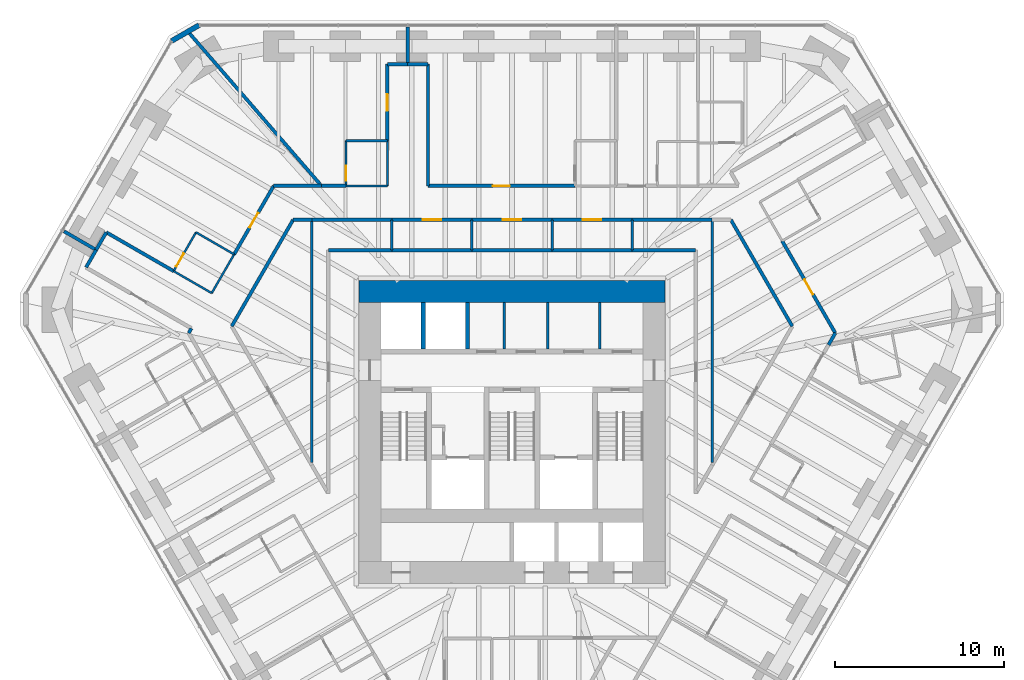
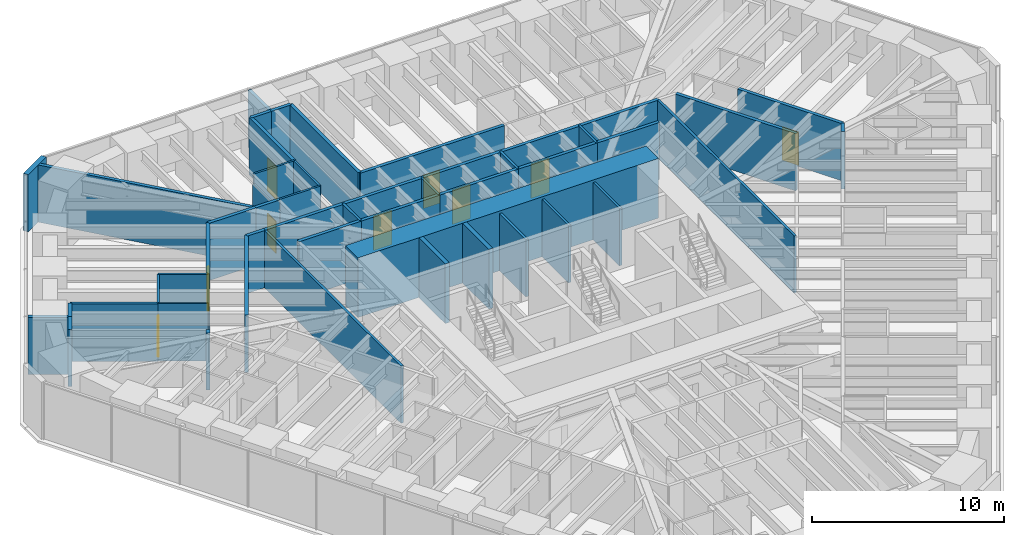
# One storey, part 14 of 16: 51 walls, 9 doors, 9 openings.
"""IFC4 building model written with IfcOpenShell, lengths in metres."""

from ifc_helpers import new_model, si_unit, direction, frame, frame_2d, origin, place, context, subcontext, project, spatial, rectangle, extrude, material, layer, layer_set, type_object, element, fill, save


model = new_model("IFC4")

# Units and contexts
model_context = context("Model", 3, precision=1e-05, world=origin(), true_north=direction((0.0, 1.0)))
body_context = subcontext(model_context, "Body", "Model", "MODEL_VIEW")
ifc_project = project(units=[si_unit("LENGTHUNIT", "METRE"), si_unit("AREAUNIT", "SQUARE_METRE"), si_unit("VOLUMEUNIT", "CUBIC_METRE"), si_unit("PLANEANGLEUNIT", "RADIAN"), si_unit("MASSUNIT", "GRAM", prefix="KILO")], contexts=[model_context])

# Site, building, storey
site_placement = place(None, origin())
site = spatial("IfcSite", under=ifc_project, at=site_placement, CompositionType="ELEMENT")
building_placement = place(site_placement, origin())
building = spatial("IfcBuilding", under=site, at=building_placement, Name="Sandreach Pilgrim Tower", CompositionType="ELEMENT")
storey_placement = place(building_placement, frame((0.0, 0.0, 115.800048828125)))
storey = spatial("IfcBuildingStorey", under=building, at=storey_placement, Name="L28", CompositionType="ELEMENT", Elevation=115.800048828125)

# Walls
ifc_material_1 = material(Name="Gypsum board on steel studs", Category="steel")
ifc_layer_1 = layer(ifc_material_1, 0.14990234375)
ifc_layer_set_1 = layer_set([ifc_layer_1], Name="Back of house wall 150")
wall_type_1 = type_object("IfcWallType", Name="Back of house wall 150", PredefinedType="PARTITIONING", material=ifc_layer_set_1)
wall_1_placement = place(storey_placement, frame((-11.830078125, 10.989990234375, 0.0), z_axis=(0.0, 0.0, 1.0), x_axis=(0.0, -1.0, 0.0)))
element("IfcWall", 1, at=wall_1_placement, inside=storey, type_object=wall_type_1, Name="Back of house wall L28-034", PredefinedType="PARTITIONING", context=body_context, shape_type="SweptSolid", body=[
    extrude(rectangle(XDim=14.3349609375, YDim=0.14990234375, at=frame_2d((7.16748046875, 0.0))), origin(), (0.0, 0.0, 1.0), 3.639892578125),
])
for number, where, z_axis, x_axis, name in (
    (2, (-7.10009765625, 10.989990234375, 0.0), (0.0, 0.0, 1.0), (0.0, -1.0, 0.0), "Back of house wall L28-054"),
    (3, (-2.3701171875, 10.989990234375, 0.0), (0.0, 0.0, 1.0), (0.0, -1.0, 0.0), "Back of house wall L28-075"),
    (4, (2.3701171875, 10.989990234375, 0.0), (0.0, 0.0, 1.0), (0.0, -1.0, 0.0), "Back of house wall L28-085"),
    (5, (7.10009765625, 10.989990234375, 0.0), (0.0, 0.0, 1.0), (0.0, -1.0, 0.0), "Back of house wall L28-104"),
):
    element("IfcWall", number, at=place(storey_placement, frame(where, z_axis=z_axis, x_axis=x_axis)), inside=storey, type_object=wall_type_1, Name=name, PredefinedType="PARTITIONING", context=body_context, shape_type="SweptSolid", body=[
        extrude(rectangle(XDim=1.7900390625, YDim=0.14990234375, at=frame_2d((0.89501953125, 0.0))), origin(), (0.0, 0.0, 1.0), 3.639892578125),
    ])
wall_2_placement = place(storey_placement, frame((11.830078125, 10.989990234375, 0.0), z_axis=(0.0, 0.0, 1.0), x_axis=(0.0, -1.0, 0.0)))
element("IfcWall", 6, at=wall_2_placement, inside=storey, type_object=wall_type_1, Name="Back of house wall L28-125", PredefinedType="PARTITIONING", context=body_context, shape_type="SweptSolid", body=[
    extrude(rectangle(XDim=14.3349609375, YDim=0.14990234375, at=frame_2d((7.16748046875, 0.0))), origin(), (0.0, 0.0, 1.0), 3.639892578125),
])
for number, where, z_axis, x_axis, name in (
    (7, (-0.449951171875, 3.35009765625, 0.0), (0.0, 0.0, 1.0), (0.0, 1.0, 0.0), "Core room partition L28 1"),
    (8, (2.112548828125, 3.35009765625, 0.0), (0.0, 0.0, 1.0), (0.0, 1.0, 0.0), "Core room partition L28 2"),
    (9, (5.1875, 3.35009765625, 0.0), (0.0, 0.0, 1.0), (0.0, 1.0, 0.0), "Core room partition L28 3"),
):
    element("IfcWall", number, at=place(storey_placement, frame(where, z_axis=z_axis, x_axis=x_axis)), inside=storey, type_object=wall_type_1, Name=name, PredefinedType="PARTITIONING", context=body_context, shape_type="SweptSolid", body=[
        extrude(rectangle(XDim=2.75, YDim=0.14990234375, at=frame_2d((1.375, 0.0))), origin(), (0.0, 0.0, 1.0), 3.639892578125),
    ])
ifc_material_2 = material(Name="Moisture-resistant gypsum board on steel studs", Category="steel")
ifc_layer_2 = layer(ifc_material_2, 0.1201171875)
ifc_layer_set_2 = layer_set([ifc_layer_2], Name="Bathroom partition 120")
wall_type_2 = type_object("IfcWallType", Name="Bathroom partition 120", PredefinedType="PARTITIONING", material=ifc_layer_set_2)
wall_3_placement = place(storey_placement, frame((-19.991455078125, 7.95751953125, 0.0), z_axis=(0.0, 0.0, 1.0), x_axis=(0.866404475641, -0.499342852747, 0.0)))
element("IfcWall", 10, at=wall_3_placement, inside=storey, type_object=wall_type_2, Name="Bathroom partition L28-009", PredefinedType="PARTITIONING", context=body_context, shape_type="SweptSolid", body=[
    extrude(rectangle(XDim=2.5986328125, YDim=0.1201171875, at=frame_2d((1.29931640625, 0.0))), origin(), (0.0, 0.0, 1.0), 3.639892578125),
])

# Wall, opening, door
wall_4_placement = place(storey_placement, frame((-18.669921875, 10.25, 0.0), z_axis=(0.0, 0.0, 1.0), x_axis=(-0.499407914056, -0.866366975004, 0.0)))
wall_4 = element("IfcWall", 11, at=wall_4_placement, inside=storey, type_object=wall_type_2, Name="Bathroom partition L28-016", PredefinedType="PARTITIONING", context=body_context, shape_type="SweptSolid", body=[
    extrude(rectangle(XDim=2.643310546875, YDim=0.1201171875, at=frame_2d((1.32177734375, 0.0))), origin(), (0.0, 0.0, 1.0), 3.639892578125),
])
opening_1_placement = place(wall_4_placement, frame((1.443115234375, 0.0, 0.0)))
opening_1 = element("IfcOpeningElement", 12, at=opening_1_placement, cuts=wall_4, Name="Opening D09-16B", PredefinedType="OPENING", context=body_context, shape_type="SweptSolid", body=[
    extrude(rectangle(XDim=0.89990234375, YDim=2.030029296875, at=frame_2d((0.449951171875, 1.01513671875))), frame((0.0, 0.06005859375, 0.0), z_axis=(0.0, -1.0, 0.0), x_axis=(1.0, 0.0, 0.0)), (0.0, 0.0, 1.0), 0.1201171875),
])
ifc_material_3 = material(Name="Timber door, steel frame", Category="steel")
door_type_1 = type_object("IfcDoorType", Name="Bathroom door", OperationType="SINGLE_SWING_LEFT", PredefinedType="DOOR", material=ifc_material_3)
door_1_placement = place(opening_1_placement, origin())
door_1 = element("IfcDoor", 13, at=door_1_placement, inside=storey, type_object=door_type_1, Name="Door 2816B", OperationType="SINGLE_SWING_RIGHT", OverallHeight=2.030029296875, OverallWidth=0.89990234375, PredefinedType="DOOR", context=body_context, shape_type="SweptSolid", body=[
    extrude(rectangle(XDim=0.89990234375, YDim=2.030029296875, at=frame_2d((0.449951171875, 1.01513671875))), frame((0.0, 0.02490234375, 0.0), z_axis=(0.0, -1.0, 0.0), x_axis=(1.0, 0.0, 0.0)), (0.0, 0.0, 1.0), 0.050048828125),
])
fill(opening_1, door_1)

# Walls
wall_5_placement = place(storey_placement, frame((-17.739990234375, 6.659912109375, 0.0), z_axis=(0.0, 0.0, 1.0), x_axis=(0.500519174073, 0.865725450929, 0.0)))
element("IfcWall", 14, at=wall_5_placement, inside=storey, type_object=wall_type_2, Name="Bathroom partition L28-020", PredefinedType="PARTITIONING", context=body_context, shape_type="SweptSolid", body=[
    extrude(rectangle(XDim=2.643310546875, YDim=0.1201171875, at=frame_2d((1.32177734375, 0.0))), origin(), (0.0, 0.0, 1.0), 3.639892578125),
])
wall_6_placement = place(storey_placement, frame((-16.419921875, 8.949951171875, 0.0), z_axis=(0.0, 0.0, 1.0), x_axis=(-0.865856933682, 0.500291685314, 0.0)))
element("IfcWall", 15, at=wall_6_placement, inside=storey, type_object=wall_type_2, Name="Bathroom partition L28-023", PredefinedType="PARTITIONING", context=body_context, shape_type="SweptSolid", body=[
    extrude(rectangle(XDim=2.5986328125, YDim=0.1201171875, at=frame_2d((1.29931640625, 0.0))), origin(), (0.0, 0.0, 1.0), 3.639892578125),
])

# Wall, opening, door
wall_7_placement = place(storey_placement, frame((-9.81005859375, 15.659912109375, 0.0), z_axis=(0.0, 0.0, 1.0), x_axis=(0.0, -1.0, 0.0)))
wall_7 = element("IfcWall", 16, at=wall_7_placement, inside=storey, type_object=wall_type_2, Name="Bathroom partition L28-045", PredefinedType="PARTITIONING", context=body_context, shape_type="SweptSolid", body=[
    extrude(rectangle(XDim=2.669921875, YDim=0.1201171875, at=frame_2d((1.3349609375, 0.0))), origin(), (0.0, 0.0, 1.0), 3.0380859375),
])
opening_2_placement = place(wall_7_placement, frame((1.469970703125, 0.0, 0.0)))
opening_2 = element("IfcOpeningElement", 17, at=opening_2_placement, cuts=wall_7, Name="Opening D09-01B", PredefinedType="OPENING", context=body_context, shape_type="SweptSolid", body=[
    extrude(rectangle(XDim=0.89990234375, YDim=2.030029296875, at=frame_2d((0.449951171875, 1.01513671875))), frame((0.0, 0.06005859375, 0.0), z_axis=(0.0, -1.0, 0.0), x_axis=(1.0, 0.0, 0.0)), (0.0, 0.0, 1.0), 0.1201171875),
])
door_2_placement = place(opening_2_placement, origin())
door_2 = element("IfcDoor", 18, at=door_2_placement, inside=storey, type_object=door_type_1, Name="Door 2801B", OperationType="SINGLE_SWING_RIGHT", OverallHeight=2.030029296875, OverallWidth=0.89990234375, PredefinedType="DOOR", context=body_context, shape_type="SweptSolid", body=[
    extrude(rectangle(XDim=0.89990234375, YDim=2.030029296875, at=frame_2d((0.449951171875, 1.01513671875))), frame((0.0, 0.02490234375, 0.0), z_axis=(0.0, -1.0, 0.0), x_axis=(1.0, 0.0, 0.0)), (0.0, 0.0, 1.0), 0.050048828125),
])
fill(opening_2, door_2)

# Walls
for number, where, z_axis, x_axis, name in (
    (19, (-7.360107421875, 12.989990234375, 0.0), (0.0, 0.0, 1.0), (-1.0, 0.0, 0.0), "Bathroom partition L28-049"),
    (20, (-7.360107421875, 15.659912109375, 0.0), (0.0, 0.0, 1.0), (-1.0, 0.0, 0.0), "Bathroom partition L28-050"),
):
    element("IfcWall", number, at=place(storey_placement, frame(where, z_axis=z_axis, x_axis=x_axis)), inside=storey, type_object=wall_type_2, Name=name, PredefinedType="PARTITIONING", context=body_context, shape_type="SweptSolid", body=[
        extrude(rectangle(XDim=2.449951171875, YDim=0.1201171875, at=frame_2d((1.22509765625, 0.0))), origin(), (0.0, 0.0, 1.0), 3.639892578125),
    ])
wall_8_placement = place(storey_placement, frame((-7.360107421875, 15.659912109375, 0.0), z_axis=(0.0, 0.0, 1.0), x_axis=(0.0, -1.0, 0.0)))
element("IfcWall", 21, at=wall_8_placement, inside=storey, type_object=wall_type_2, Name="Bathroom partition L28-051", PredefinedType="PARTITIONING", context=body_context, shape_type="SweptSolid", body=[
    extrude(rectangle(XDim=2.669921875, YDim=0.1201171875, at=frame_2d((1.3349609375, 0.0))), origin(), (0.0, 0.0, 1.0), 3.639892578125),
])
ifc_material_4 = material(Name="Concrete 10000 psi", Category="concrete")
ifc_layer_3 = layer(ifc_material_4, 1.300048828125)
ifc_layer_set_3 = layer_set([ifc_layer_3], Name="Core wall 1300")
wall_type_3 = type_object("IfcWallType", Name="Core wall 1300", PredefinedType="SHEAR", material=ifc_layer_set_3)
wall_9_placement = place(storey_placement, frame((-9.050048828125, 6.75, 0.0), z_axis=(0.0, 0.0, 1.0), x_axis=(1.0, 0.0, 0.0)))
element("IfcWall", 22, at=wall_9_placement, inside=storey, type_object=wall_type_3, Name="Core wall N L28", PredefinedType="SHEAR", context=body_context, shape_type="SweptSolid", body=[
    extrude(rectangle(XDim=18.10009765625, YDim=1.300048828125, at=frame_2d((9.050048828125, 0.0))), origin(), (0.0, 0.0, 1.0), 3.800048828125),
])
ifc_material_5 = material(Name="Gypsum board on steel studs, two layers each side", Category="steel")
ifc_layer_4 = layer(ifc_material_5, 0.199951171875)
ifc_layer_set_4 = layer_set([ifc_layer_4], Name="Corridor wall 200")
wall_type_4 = type_object("IfcWallType", Name="Corridor wall 200", PredefinedType="PARTITIONING", material=ifc_layer_set_4)
wall_10_placement = place(storey_placement, frame((-25.16259765625, 8.18310546875, 0.0), z_axis=(0.0, 0.0, 1.0), x_axis=(0.499793761865, 0.866144442689, 0.0)))
element("IfcWall", 23, at=wall_10_placement, inside=storey, type_object=wall_type_4, Name="Corridor wall L28-003", PredefinedType="PARTITIONING", context=body_context, shape_type="SweptSolid", body=[
    extrude(rectangle(XDim=1.185546875, YDim=0.199951171875, at=frame_2d((0.5927734375, 0.0))), origin(), (0.0, 0.0, 1.0), 3.639892578125),
])
wall_11_placement = place(storey_placement, frame((-24.570068359375, 9.2099609375, 0.0), z_axis=(0.0, 0.0, 1.0), x_axis=(0.499734288277, 0.866178758179, 0.0)))
element("IfcWall", 24, at=wall_11_placement, inside=storey, type_object=wall_type_4, Name="Corridor wall L28-004", PredefinedType="PARTITIONING", context=body_context, shape_type="SweptSolid", body=[
    extrude(rectangle(XDim=1.190673828125, YDim=0.199951171875, at=frame_2d((0.59521484375, 0.0))), origin(), (0.0, 0.0, 1.0), 3.639892578125),
])
wall_12_placement = place(storey_placement, frame((-23.969970703125, 10.25, 0.0), z_axis=(0.0, 0.0, 1.0), x_axis=(0.86645101645, -0.499262091585, 0.0)))
element("IfcWall", 25, at=wall_12_placement, inside=storey, type_object=wall_type_4, Name="Corridor wall L28-006", PredefinedType="PARTITIONING", context=body_context, shape_type="SweptSolid", body=[
    extrude(rectangle(XDim=4.591796875, YDim=0.199951171875, at=frame_2d((2.2958984375, 0.0))), origin(), (0.0, 0.0, 1.0), 3.639892578125),
])
wall_13_placement = place(storey_placement, frame((-18.945068359375, 4.5712890625, 0.0), z_axis=(0.0, 0.0, 1.0), x_axis=(-0.496223092577, -0.868195048588, 0.0)))
element("IfcWall", 26, at=wall_13_placement, inside=storey, type_object=wall_type_4, Name="Corridor wall L28-015", PredefinedType="PARTITIONING", context=body_context, shape_type="SweptSolid", body=[
    extrude(rectangle(XDim=0.3125, YDim=0.199951171875, at=frame_2d((0.15625, 0.0))), origin(), (0.0, 0.0, 1.0), 3.639892578125),
])
wall_14_placement = place(storey_placement, frame((-16.56005859375, 4.699951171875, 0.0), z_axis=(0.0, 0.0, 1.0), x_axis=(0.4998524389, 0.866110581465, 0.0)))
element("IfcWall", 27, at=wall_14_placement, inside=storey, type_object=wall_type_4, Name="Corridor wall L28-022", PredefinedType="PARTITIONING", context=body_context, shape_type="SweptSolid", body=[
    extrude(rectangle(XDim=7.262451171875, YDim=0.199951171875, at=frame_2d((3.63134765625, 0.0))), origin(), (0.0, 0.0, 1.0), 3.639892578125),
])

# Wall, opening, door
wall_15_placement = place(storey_placement, frame((-16.4169921875, 8.9482421875, 0.0), z_axis=(0.0, 0.0, 1.0), x_axis=(0.500547653499, 0.865708984923, 0.0)))
wall_15 = element("IfcWall", 28, at=wall_15_placement, inside=storey, type_object=wall_type_4, Name="Corridor wall L28-024", PredefinedType="PARTITIONING", context=body_context, shape_type="SweptSolid", body=[
    extrude(rectangle(XDim=4.668701171875, YDim=0.199951171875, at=frame_2d((2.33447265625, 0.0))), origin(), (0.0, 0.0, 1.0), 3.639892578125),
])
opening_3_placement = place(wall_15_placement, frame((1.834228515625, 0.0, 0.0)))
opening_3 = element("IfcOpeningElement", 29, at=opening_3_placement, cuts=wall_15, Name="Opening D10-16", PredefinedType="OPENING", context=body_context, shape_type="SweptSolid", body=[
    extrude(rectangle(XDim=1.0, YDim=2.1298828125, at=frame_2d((0.5, 1.06494140625))), frame((0.0, 0.10009765625, 0.0), z_axis=(0.0, -1.0, 0.0), x_axis=(1.0, 0.0, 0.0)), (0.0, 0.0, 1.0), 0.199951171875),
])
ifc_material_6 = material(Name="Steel door and frame", Category="steel")
door_type_2 = type_object("IfcDoorType", Name="Guest room entry door", OperationType="SINGLE_SWING_LEFT", PredefinedType="DOOR", material=ifc_material_6)
door_3_placement = place(opening_3_placement, origin())
door_3 = element("IfcDoor", 30, at=door_3_placement, inside=storey, type_object=door_type_2, Name="Door 2816", OperationType="SINGLE_SWING_LEFT", OverallHeight=2.1298828125, OverallWidth=1.0, PredefinedType="DOOR", context=body_context, shape_type="SweptSolid", body=[
    extrude(rectangle(XDim=1.0, YDim=2.1298828125, at=frame_2d((0.5, 1.06494140625))), frame((0.0, 0.02490234375, 0.0), z_axis=(0.0, -1.0, 0.0), x_axis=(1.0, 0.0, 0.0)), (0.0, 0.0, 1.0), 0.050048828125),
])
fill(opening_3, door_3)

# Walls
wall_16_placement = place(storey_placement, frame((-12.929931640625, 10.989990234375, 0.0), z_axis=(0.0, 0.0, 1.0), x_axis=(1.0, 0.0, 0.0)))
element("IfcWall", 31, at=wall_16_placement, inside=storey, type_object=wall_type_4, Name="Corridor wall L28-031", PredefinedType="PARTITIONING", context=body_context, shape_type="SweptSolid", body=[
    extrude(rectangle(XDim=1.099853515625, YDim=0.199951171875, at=frame_2d((0.5498046875, 0.0))), origin(), (0.0, 0.0, 1.0), 3.639892578125),
])
wall_17_placement = place(storey_placement, frame((-11.830078125, 10.989990234375, 0.0), z_axis=(0.0, 0.0, 1.0), x_axis=(1.0, 0.0, 0.0)))
element("IfcWall", 32, at=wall_17_placement, inside=storey, type_object=wall_type_4, Name="Corridor wall L28-035", PredefinedType="PARTITIONING", context=body_context, shape_type="SweptSolid", body=[
    extrude(rectangle(XDim=4.72998046875, YDim=0.199951171875, at=frame_2d((2.364990234375, 0.0))), origin(), (0.0, 0.0, 1.0), 3.639892578125),
])
wall_18_placement = place(storey_placement, frame((-11.25, 12.989990234375, 0.0), z_axis=(0.0, 0.0, 1.0), x_axis=(-1.0, 0.0, 0.0)))
element("IfcWall", 33, at=wall_18_placement, inside=storey, type_object=wall_type_4, Name="Corridor wall L28-040", PredefinedType="PARTITIONING", context=body_context, shape_type="SweptSolid", body=[
    extrude(rectangle(XDim=2.830078125, YDim=0.199951171875, at=frame_2d((1.4150390625, 0.0))), origin(), (0.0, 0.0, 1.0), 3.639892578125),
])
wall_19_placement = place(storey_placement, frame((-9.81005859375, 12.989990234375, 0.0), z_axis=(0.0, 0.0, 1.0), x_axis=(-1.0, 0.0, 0.0)))
element("IfcWall", 34, at=wall_19_placement, inside=storey, type_object=wall_type_4, Name="Corridor wall L28-044", PredefinedType="PARTITIONING", context=body_context, shape_type="SweptSolid", body=[
    extrude(rectangle(XDim=1.43994140625, YDim=0.199951171875, at=frame_2d((0.719970703125, 0.0))), origin(), (0.0, 0.0, 1.0), 3.639892578125),
])

# Wall, opening, door
wall_20_placement = place(storey_placement, frame((-7.360107421875, 20.179931640625, 0.0), z_axis=(0.0, 0.0, 1.0), x_axis=(0.0, -1.0, 0.0)))
wall_20 = element("IfcWall", 35, at=wall_20_placement, inside=storey, type_object=wall_type_4, Name="Corridor wall L28-052", PredefinedType="PARTITIONING", context=body_context, shape_type="SweptSolid", body=[
    extrude(rectangle(XDim=4.52001953125, YDim=0.199951171875, at=frame_2d((2.260009765625, 0.0))), origin(), (0.0, 0.0, 1.0), 3.639892578125),
])
opening_4_placement = place(wall_20_placement, frame((1.760009765625, 0.0, 0.0)))
opening_4 = element("IfcOpeningElement", 36, at=opening_4_placement, cuts=wall_20, Name="Opening D10-01", PredefinedType="OPENING", context=body_context, shape_type="SweptSolid", body=[
    extrude(rectangle(XDim=1.0, YDim=2.1298828125, at=frame_2d((0.5, 1.06494140625))), frame((0.0, 0.10009765625, 0.0), z_axis=(0.0, -1.0, 0.0), x_axis=(1.0, 0.0, 0.0)), (0.0, 0.0, 1.0), 0.199951171875),
])
door_4_placement = place(opening_4_placement, origin())
door_4 = element("IfcDoor", 37, at=door_4_placement, inside=storey, type_object=door_type_2, Name="Door 2801", OperationType="SINGLE_SWING_LEFT", OverallHeight=2.1298828125, OverallWidth=1.0, PredefinedType="DOOR", context=body_context, shape_type="SweptSolid", body=[
    extrude(rectangle(XDim=1.0, YDim=2.1298828125, at=frame_2d((0.5, 1.06494140625))), frame((0.0, 0.02490234375, 0.0), z_axis=(0.0, -1.0, 0.0), x_axis=(1.0, 0.0, 0.0)), (0.0, 0.0, 1.0), 0.050048828125),
])
fill(opening_4, door_4)

# Wall
wall_21_placement = place(storey_placement, frame((-7.10009765625, 9.199951171875, 0.0), z_axis=(0.0, 0.0, 1.0), x_axis=(-1.0, 0.0, 0.0)))
element("IfcWall", 38, at=wall_21_placement, inside=storey, type_object=wall_type_4, Name="Corridor wall L28-053", PredefinedType="PARTITIONING", context=body_context, shape_type="SweptSolid", body=[
    extrude(rectangle(XDim=3.739990234375, YDim=0.199951171875, at=frame_2d((1.8701171875, 0.0))), origin(), (0.0, 0.0, 1.0), 3.639892578125),
])

# Wall, opening, door
wall_22_placement = place(storey_placement, frame((-7.10009765625, 10.989990234375, 0.0), z_axis=(0.0, 0.0, 1.0), x_axis=(1.0, 0.0, 0.0)))
wall_22 = element("IfcWall", 39, at=wall_22_placement, inside=storey, type_object=wall_type_4, Name="Corridor wall L28-055", PredefinedType="PARTITIONING", context=body_context, shape_type="SweptSolid", body=[
    extrude(rectangle(XDim=4.72998046875, YDim=0.199951171875, at=frame_2d((2.364990234375, 0.0))), origin(), (0.0, 0.0, 1.0), 3.639892578125),
])
opening_5_placement = place(wall_22_placement, frame((1.81494140625, 0.0, 0.0)))
opening_5 = element("IfcOpeningElement", 40, at=opening_5_placement, cuts=wall_22, Name="Opening D11H-M03", PredefinedType="OPENING", context=body_context, shape_type="SweptSolid", body=[
    extrude(rectangle(XDim=1.10009765625, YDim=2.199951171875, at=frame_2d((0.550048828125, 1.10009765625))), frame((0.0, 0.10009765625, 0.0), z_axis=(0.0, -1.0, 0.0), x_axis=(1.0, 0.0, 0.0)), (0.0, 0.0, 1.0), 0.199951171875),
])
ifc_material_7 = material(Name="Steel door and frame", Category="steel")
door_type_3 = type_object("IfcDoorType", Name="Back of house door", OperationType="SINGLE_SWING_LEFT", PredefinedType="DOOR", material=ifc_material_7)
door_5_placement = place(opening_5_placement, origin())
door_5 = element("IfcDoor", 41, at=door_5_placement, inside=storey, type_object=door_type_3, Name="Door 28M03", OperationType="SINGLE_SWING_LEFT", OverallHeight=2.199951171875, OverallWidth=1.10009765625, PredefinedType="DOOR", context=body_context, shape_type="SweptSolid", body=[
    extrude(rectangle(XDim=1.10009765625, YDim=2.199951171875, at=frame_2d((0.550048828125, 1.10009765625))), frame((0.0, 0.02490234375, 0.0), z_axis=(0.0, -1.0, 0.0), x_axis=(1.0, 0.0, 0.0)), (0.0, 0.0, 1.0), 0.050048828125),
])
fill(opening_5, door_5)

# Walls
wall_23_placement = place(storey_placement, frame((-6.159912109375, 20.179931640625, 0.0), z_axis=(0.0, 0.0, 1.0), x_axis=(-1.0, 0.0, 0.0)))
element("IfcWall", 42, at=wall_23_placement, inside=storey, type_object=wall_type_4, Name="Corridor wall L28-059", PredefinedType="PARTITIONING", context=body_context, shape_type="SweptSolid", body=[
    extrude(rectangle(XDim=1.190185546875, YDim=0.199951171875, at=frame_2d((0.59521484375, 0.0))), origin(), (0.0, 0.0, 1.0), 3.639892578125),
])
wall_24_placement = place(storey_placement, frame((-4.969970703125, 20.179931640625, 0.0), z_axis=(0.0, 0.0, 1.0), x_axis=(-1.0, 0.0, 0.0)))
element("IfcWall", 43, at=wall_24_placement, inside=storey, type_object=wall_type_4, Name="Corridor wall L28-062", PredefinedType="PARTITIONING", context=body_context, shape_type="SweptSolid", body=[
    extrude(rectangle(XDim=1.18994140625, YDim=0.199951171875, at=frame_2d((0.594970703125, 0.0))), origin(), (0.0, 0.0, 1.0), 3.639892578125),
])
wall_25_placement = place(storey_placement, frame((-4.9599609375, 13.0, 0.0), z_axis=(0.0, 0.0, 1.0), x_axis=(0.0, 1.0, 0.0)))
element("IfcWall", 44, at=wall_25_placement, inside=storey, type_object=wall_type_4, Name="Corridor wall L28-063", PredefinedType="PARTITIONING", context=body_context, shape_type="SweptSolid", body=[
    extrude(rectangle(XDim=7.179931640625, YDim=0.199951171875, at=frame_2d((3.58984375, 0.0))), origin(), (0.0, 0.0, 1.0), 3.639892578125),
])
wall_26_placement = place(storey_placement, frame((-2.3701171875, 9.199951171875, 0.0), z_axis=(0.0, 0.0, 1.0), x_axis=(-1.0, 0.0, 0.0)))
element("IfcWall", 45, at=wall_26_placement, inside=storey, type_object=wall_type_4, Name="Corridor wall L28-074", PredefinedType="PARTITIONING", context=body_context, shape_type="SweptSolid", body=[
    extrude(rectangle(XDim=4.72998046875, YDim=0.199951171875, at=frame_2d((2.364990234375, 0.0))), origin(), (0.0, 0.0, 1.0), 3.639892578125),
])

# Wall, opening, door
wall_27_placement = place(storey_placement, frame((-2.3701171875, 10.989990234375, 0.0), z_axis=(0.0, 0.0, 1.0), x_axis=(1.0, 0.0, 0.0)))
wall_27 = element("IfcWall", 46, at=wall_27_placement, inside=storey, type_object=wall_type_4, Name="Corridor wall L28-076", PredefinedType="PARTITIONING", context=body_context, shape_type="SweptSolid", body=[
    extrude(rectangle(XDim=4.740234375, YDim=0.199951171875, at=frame_2d((2.3701171875, 0.0))), origin(), (0.0, 0.0, 1.0), 3.639892578125),
])
opening_6_placement = place(wall_27_placement, frame((1.820068359375, 0.0, 0.0)))
opening_6 = element("IfcOpeningElement", 47, at=opening_6_placement, cuts=wall_27, Name="Opening D11H-M04", PredefinedType="OPENING", context=body_context, shape_type="SweptSolid", body=[
    extrude(rectangle(XDim=1.10009765625, YDim=2.199951171875, at=frame_2d((0.550048828125, 1.10009765625))), frame((0.0, 0.10009765625, 0.0), z_axis=(0.0, -1.0, 0.0), x_axis=(1.0, 0.0, 0.0)), (0.0, 0.0, 1.0), 0.199951171875),
])
door_6_placement = place(opening_6_placement, origin())
door_6 = element("IfcDoor", 48, at=door_6_placement, inside=storey, type_object=door_type_3, Name="Door 28M04", OperationType="SINGLE_SWING_LEFT", OverallHeight=2.199951171875, OverallWidth=1.10009765625, PredefinedType="DOOR", context=body_context, shape_type="SweptSolid", body=[
    extrude(rectangle(XDim=1.10009765625, YDim=2.199951171875, at=frame_2d((0.550048828125, 1.10009765625))), frame((0.0, 0.02490234375, 0.0), z_axis=(0.0, -1.0, 0.0), x_axis=(1.0, 0.0, 0.0)), (0.0, 0.0, 1.0), 0.050048828125),
])
fill(opening_6, door_6)

# Wall
wall_28_placement = place(storey_placement, frame((2.3701171875, 9.199951171875, 0.0), z_axis=(0.0, 0.0, 1.0), x_axis=(-1.0, 0.0, 0.0)))
element("IfcWall", 49, at=wall_28_placement, inside=storey, type_object=wall_type_4, Name="Corridor wall L28-084", PredefinedType="PARTITIONING", context=body_context, shape_type="SweptSolid", body=[
    extrude(rectangle(XDim=4.740234375, YDim=0.199951171875, at=frame_2d((2.3701171875, 0.0))), origin(), (0.0, 0.0, 1.0), 3.639892578125),
])

# Wall, opening, door
wall_29_placement = place(storey_placement, frame((2.3701171875, 10.989990234375, 0.0), z_axis=(0.0, 0.0, 1.0), x_axis=(1.0, 0.0, 0.0)))
wall_29 = element("IfcWall", 50, at=wall_29_placement, inside=storey, type_object=wall_type_4, Name="Corridor wall L28-086", PredefinedType="PARTITIONING", context=body_context, shape_type="SweptSolid", body=[
    extrude(rectangle(XDim=4.72998046875, YDim=0.199951171875, at=frame_2d((2.364990234375, 0.0))), origin(), (0.0, 0.0, 1.0), 3.639892578125),
])
opening_7_placement = place(wall_29_placement, frame((1.81494140625, 0.0, 0.0)))
opening_7 = element("IfcOpeningElement", 51, at=opening_7_placement, cuts=wall_29, Name="Opening D11H-M05", PredefinedType="OPENING", context=body_context, shape_type="SweptSolid", body=[
    extrude(rectangle(XDim=1.10009765625, YDim=2.199951171875, at=frame_2d((0.550048828125, 1.10009765625))), frame((0.0, 0.10009765625, 0.0), z_axis=(0.0, -1.0, 0.0), x_axis=(1.0, 0.0, 0.0)), (0.0, 0.0, 1.0), 0.199951171875),
])
door_7_placement = place(opening_7_placement, origin())
door_7 = element("IfcDoor", 52, at=door_7_placement, inside=storey, type_object=door_type_3, Name="Door 28M05", OperationType="SINGLE_SWING_LEFT", OverallHeight=2.199951171875, OverallWidth=1.10009765625, PredefinedType="DOOR", context=body_context, shape_type="SweptSolid", body=[
    extrude(rectangle(XDim=1.10009765625, YDim=2.199951171875, at=frame_2d((0.550048828125, 1.10009765625))), frame((0.0, 0.02490234375, 0.0), z_axis=(0.0, -1.0, 0.0), x_axis=(1.0, 0.0, 0.0)), (0.0, 0.0, 1.0), 0.050048828125),
])
fill(opening_7, door_7)

wall_30_placement = place(storey_placement, frame((3.7099609375, 12.989990234375, 0.0), z_axis=(0.0, 0.0, 1.0), x_axis=(-1.0, 0.0, 0.0)))
wall_30 = element("IfcWall", 53, at=wall_30_placement, inside=storey, type_object=wall_type_4, Name="Corridor wall L28-089", PredefinedType="PARTITIONING", context=body_context, shape_type="SweptSolid", body=[
    extrude(rectangle(XDim=8.669921875, YDim=0.199951171875, at=frame_2d((4.3349609375, 0.0))), origin(), (0.0, 0.0, 1.0), 3.639892578125),
])
opening_8_placement = place(wall_30_placement, frame((3.8349609375, 0.0, 0.0)))
opening_8 = element("IfcOpeningElement", 54, at=opening_8_placement, cuts=wall_30, Name="Opening D10-02", PredefinedType="OPENING", context=body_context, shape_type="SweptSolid", body=[
    extrude(rectangle(XDim=1.0, YDim=2.1298828125, at=frame_2d((0.5, 1.06494140625))), frame((0.0, 0.10009765625, 0.0), z_axis=(0.0, -1.0, 0.0), x_axis=(1.0, 0.0, 0.0)), (0.0, 0.0, 1.0), 0.199951171875),
])
door_8_placement = place(opening_8_placement, origin())
door_8 = element("IfcDoor", 55, at=door_8_placement, inside=storey, type_object=door_type_2, Name="Door 2802", OperationType="SINGLE_SWING_LEFT", OverallHeight=2.1298828125, OverallWidth=1.0, PredefinedType="DOOR", context=body_context, shape_type="SweptSolid", body=[
    extrude(rectangle(XDim=1.0, YDim=2.1298828125, at=frame_2d((0.5, 1.06494140625))), frame((0.0, 0.02490234375, 0.0), z_axis=(0.0, -1.0, 0.0), x_axis=(1.0, 0.0, 0.0)), (0.0, 0.0, 1.0), 0.050048828125),
])
fill(opening_8, door_8)

# Walls
for number, where, z_axis, x_axis, name in (
    (56, (7.10009765625, 9.199951171875, 0.0), (0.0, 0.0, 1.0), (-1.0, 0.0, 0.0), "Corridor wall L28-103"),
    (57, (7.10009765625, 10.989990234375, 0.0), (0.0, 0.0, 1.0), (1.0, 0.0, 0.0), "Corridor wall L28-105"),
):
    element("IfcWall", number, at=place(storey_placement, frame(where, z_axis=z_axis, x_axis=x_axis)), inside=storey, type_object=wall_type_4, Name=name, PredefinedType="PARTITIONING", context=body_context, shape_type="SweptSolid", body=[
        extrude(rectangle(XDim=4.72998046875, YDim=0.199951171875, at=frame_2d((2.364990234375, 0.0))), origin(), (0.0, 0.0, 1.0), 3.639892578125),
    ])
wall_31_placement = place(storey_placement, frame((10.840087890625, 9.199951171875, 0.0), z_axis=(0.0, 0.0, 1.0), x_axis=(-1.0, 0.0, 0.0)))
element("IfcWall", 58, at=wall_31_placement, inside=storey, type_object=wall_type_4, Name="Corridor wall L28-114", PredefinedType="PARTITIONING", context=body_context, shape_type="SweptSolid", body=[
    extrude(rectangle(XDim=3.739990234375, YDim=0.199951171875, at=frame_2d((1.8701171875, 0.0))), origin(), (0.0, 0.0, 1.0), 3.639892578125),
])
wall_32_placement = place(storey_placement, frame((12.929931640625, 10.989990234375, 0.0), z_axis=(0.0, 0.0, 1.0), x_axis=(0.4998524389, -0.866110581465, 0.0)))
element("IfcWall", 59, at=wall_32_placement, inside=storey, type_object=wall_type_4, Name="Corridor wall L28-130", PredefinedType="PARTITIONING", context=body_context, shape_type="SweptSolid", body=[
    extrude(rectangle(XDim=7.262451171875, YDim=0.199951171875, at=frame_2d((3.63134765625, 0.0))), origin(), (0.0, 0.0, 1.0), 3.639892578125),
])

# Wall, opening, door
wall_33_placement = place(storey_placement, frame((15.9599609375, 9.739990234375, 0.0), z_axis=(0.0, 0.0, 1.0), x_axis=(0.499926574701, -0.86606779175, 0.0)))
wall_33 = element("IfcWall", 60, at=wall_33_placement, inside=storey, type_object=wall_type_4, Name="Corridor wall L28-140", PredefinedType="PARTITIONING", context=body_context, shape_type="SweptSolid", body=[
    extrude(rectangle(XDim=6.28125, YDim=0.199951171875, at=frame_2d((3.140625, 0.0))), origin(), (0.0, 0.0, 1.0), 3.639892578125),
])
opening_9_placement = place(wall_33_placement, frame((2.640625, 0.0, 0.0)))
opening_9 = element("IfcOpeningElement", 61, at=opening_9_placement, cuts=wall_33, Name="Opening D10-05", PredefinedType="OPENING", context=body_context, shape_type="SweptSolid", body=[
    extrude(rectangle(XDim=1.0, YDim=2.1298828125, at=frame_2d((0.5, 1.06494140625))), frame((0.0, 0.10009765625, 0.0), z_axis=(0.0, -1.0, 0.0), x_axis=(1.0, 0.0, 0.0)), (0.0, 0.0, 1.0), 0.199951171875),
])
door_9_placement = place(opening_9_placement, origin())
door_9 = element("IfcDoor", 62, at=door_9_placement, inside=storey, type_object=door_type_2, Name="Door 2805", OperationType="SINGLE_SWING_LEFT", OverallHeight=2.1298828125, OverallWidth=1.0, PredefinedType="DOOR", context=body_context, shape_type="SweptSolid", body=[
    extrude(rectangle(XDim=1.0, YDim=2.1298828125, at=frame_2d((0.5, 1.06494140625))), frame((0.0, 0.02490234375, 0.0), z_axis=(0.0, -1.0, 0.0), x_axis=(1.0, 0.0, 0.0)), (0.0, 0.0, 1.0), 0.050048828125),
])
fill(opening_9, door_9)

# Walls
wall_34_placement = place(storey_placement, frame((18.699951171875, 3.60009765625, 0.0), z_axis=(0.0, 0.0, 1.0), x_axis=(0.496301979961, 0.868149955185, 0.0)))
element("IfcWall", 63, at=wall_34_placement, inside=storey, type_object=wall_type_4, Name="Corridor wall L28-148", PredefinedType="PARTITIONING", context=body_context, shape_type="SweptSolid", body=[
    extrude(rectangle(XDim=0.80615234375, YDim=0.199951171875, at=frame_2d((0.403076171875, 0.0))), origin(), (0.0, 0.0, 1.0), 3.639892578125),
])
ifc_material_8 = material(Name="Double steel stud acoustic wall, gypsum board", Category="steel")
ifc_layer_5 = layer(ifc_material_8, 0.199951171875)
ifc_layer_set_5 = layer_set([ifc_layer_5], Name="Party wall 200")
wall_type_5 = type_object("IfcWallType", Name="Party wall 200", PredefinedType="PARTITIONING", material=ifc_layer_set_5)
wall_35_placement = place(storey_placement, frame((-26.46630859375, 10.309814453125, 0.0), z_axis=(0.0, 0.0, 1.0), x_axis=(0.865037029405, -0.501708020425, 0.0)))
element("IfcWall", 64, at=wall_35_placement, inside=storey, type_object=wall_type_5, Name="Party wall L28-001", PredefinedType="PARTITIONING", context=body_context, shape_type="SweptSolid", body=[
    extrude(rectangle(XDim=2.17724609375, YDim=0.199951171875, at=frame_2d((1.088623046875, 0.0))), origin(), (0.0, 0.0, 1.0), 3.639892578125),
])
wall_36_placement = place(storey_placement, frame((-11.335205078125, 13.08837890625, 0.0), z_axis=(0.0, 0.0, 1.0), x_axis=(-0.654526953183, 0.75603866803, 0.0)))
element("IfcWall", 65, at=wall_36_placement, inside=storey, type_object=wall_type_5, Name="Party wall L28-037", PredefinedType="PARTITIONING", context=body_context, shape_type="SweptSolid", body=[
    extrude(rectangle(XDim=11.95556640625, YDim=0.199951171875, at=frame_2d((5.977783203125, 0.0))), origin(), (0.0, 0.0, 1.0), 3.639892578125),
])
wall_37_placement = place(storey_placement, frame((-6.159912109375, 22.3701171875, 0.0), z_axis=(0.0, 0.0, 1.0), x_axis=(0.0, -1.0, 0.0)))
element("IfcWall", 66, at=wall_37_placement, inside=storey, type_object=wall_type_5, Name="Party wall L28-060", PredefinedType="PARTITIONING", context=body_context, shape_type="SweptSolid", body=[
    extrude(rectangle(XDim=2.18017578125, YDim=0.199951171875, at=frame_2d((1.090087890625, 0.0))), origin(), (0.0, 0.0, 1.0), 3.639892578125),
])
ifc_material_9 = material(Name="Gypsum shaft wall on steel studs, two layers of shaft liner board", Category="steel")
ifc_layer_6 = layer(ifc_material_9, 0.25)
ifc_layer_set_6 = layer_set([ifc_layer_6], Name="Shaft partition 250")
wall_type_6 = type_object("IfcWallType", Name="Shaft partition 250", PredefinedType="PARTITIONING", material=ifc_layer_set_6)
for number, where, z_axis, x_axis, name in (
    (67, (-5.25, 3.35009765625, 0.0), (0.0, 0.0, 1.0), (0.0, 1.0, 0.0), "Shaft partition NS0 L28"),
    (68, (-2.625, 3.35009765625, 0.0), (0.0, 0.0, 1.0), (0.0, 1.0, 0.0), "Shaft partition NS1 L28"),
):
    element("IfcWall", number, at=place(storey_placement, frame(where, z_axis=z_axis, x_axis=x_axis)), inside=storey, type_object=wall_type_6, Name=name, PredefinedType="PARTITIONING", context=body_context, shape_type="SweptSolid", body=[
        extrude(rectangle(XDim=2.75, YDim=0.25, at=frame_2d((1.375, 0.0))), origin(), (0.0, 0.0, 1.0), 3.800048828125),
    ])
ifc_material_10 = material(Name="Terracotta rainscreen on concrete", Category="masonry")
ifc_layer_7 = layer(ifc_material_10, 0.300048828125)
ifc_layer_set_7 = layer_set([ifc_layer_7], Name="Terracotta chamfer pier")
wall_type_7 = type_object("IfcWallType", Name="Terracotta chamfer pier", PredefinedType="SOLIDWALL", material=ifc_layer_set_7)
wall_38_placement = place(storey_placement, frame((-20.109619140625, 21.5537109375, 0.0), z_axis=(0.0, 0.0, 1.0), x_axis=(0.865988793993, 0.500063404658, 0.0)))
element("IfcWall", 69, at=wall_38_placement, inside=storey, type_object=wall_type_7, Name="Chamfer pier L28 NW", PredefinedType="SOLIDWALL", context=body_context, shape_type="SweptSolid", body=[
    extrude(rectangle(XDim=1.880126953125, YDim=0.300048828125, at=frame_2d((0.93994140625, 0.0))), origin(), (0.0, 0.0, 1.0), 3.639892578125),
])

save(model, "model.ifc")
